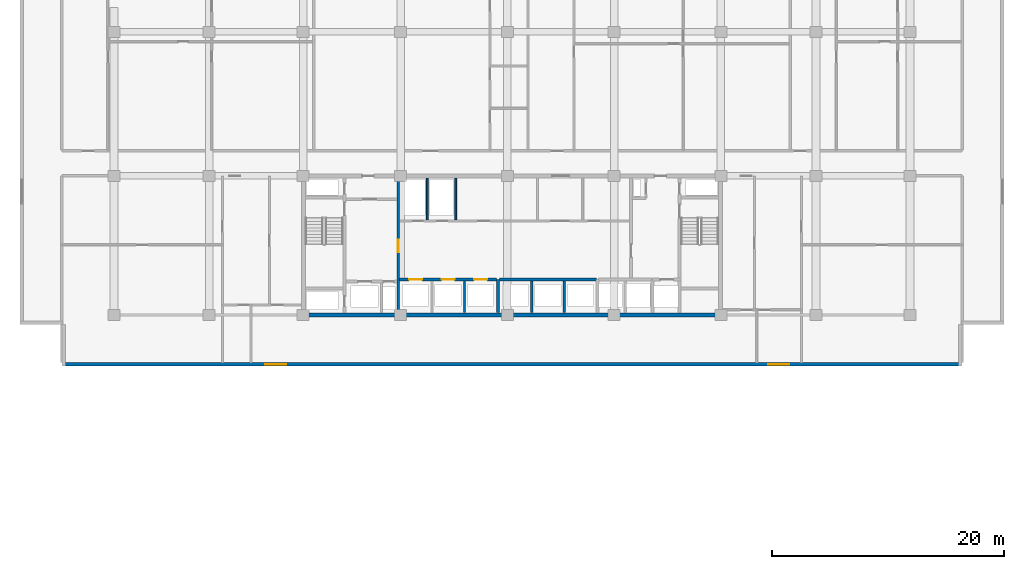
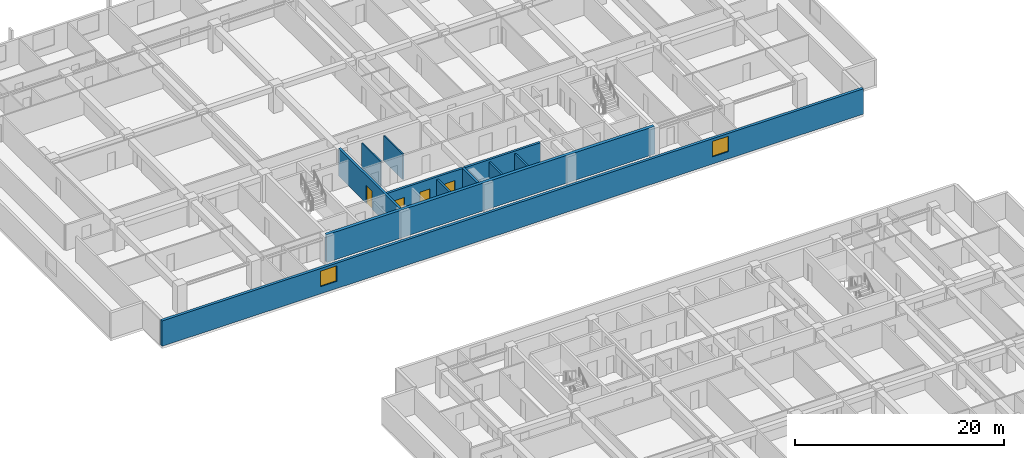
# One storey, part 11 of 23: 11 walls, 4 doors, 2 windows, 6 openings.
"""IFC4 building model written with IfcOpenShell, lengths in metres."""

from ifc_helpers import new_model, si_unit, direction, frame, frame_2d, origin, place, context, subcontext, project, spatial, rectangle, extrude, material, layer, layer_set, type_object, element, fill, save


model = new_model("IFC4")

# Units and contexts
model_context = context("Model", 3, precision=1e-05, world=origin(), true_north=direction((0.0, 1.0)))
body_context = subcontext(model_context, "Body", "Model", "MODEL_VIEW")
ifc_project = project(units=[si_unit("LENGTHUNIT", "METRE"), si_unit("AREAUNIT", "SQUARE_METRE"), si_unit("VOLUMEUNIT", "CUBIC_METRE"), si_unit("PLANEANGLEUNIT", "RADIAN"), si_unit("MASSUNIT", "GRAM", prefix="KILO")], contexts=[model_context])

# Site, building, storey
site_placement = place(None, origin())
site = spatial("IfcSite", under=ifc_project, at=site_placement, CompositionType="ELEMENT")
building_placement = place(site_placement, origin())
building = spatial("IfcBuilding", under=site, at=building_placement, Name="Korimba Cascade Residences", CompositionType="ELEMENT")
storey_placement = place(building_placement, frame((0.0, 0.0, 56.5)))
storey = spatial("IfcBuildingStorey", under=building, at=storey_placement, Name="L15", CompositionType="ELEMENT", Elevation=56.5)

# Wall, openings, windows
ifc_material_1 = material(Name="Precast concrete C40/50", Category="concrete")
ifc_layer_1 = layer(ifc_material_1, 0.300048828125)
ifc_layer_set_1 = layer_set([ifc_layer_1], Name="Precast concrete C40/50")
wall_type_1 = type_object("IfcWallType", Name="EW-STONE-300", PredefinedType="STANDARD", material=ifc_layer_set_1)
wall_1_placement = place(storey_placement, frame((55.300048828125, 50.949951171875, 0.0), z_axis=(0.0, 0.0, 1.0), x_axis=(1.0, 0.0, 0.0)))
wall_1 = element("IfcWall", 1, at=wall_1_placement, inside=storey, type_object=wall_type_1, Name="L15 T1 Perimeter Stone Wall E00", PredefinedType="STANDARD", context=body_context, shape_type="SweptSolid", body=[
    extrude(rectangle(XDim=77.599853515625, YDim=0.300048828125, at=frame_2d((38.7998046875, 0.0))), origin(), (0.0, 0.0, 1.0), 2.969970703125),
])
opening_1_placement = place(wall_1_placement, frame((17.52490234375, 0.0, 0.85009765625)))
opening_1 = element("IfcOpeningElement", 2, at=opening_1_placement, cuts=wall_1, Name="Opening W-02", PredefinedType="OPENING", context=body_context, shape_type="SweptSolid", body=[
    extrude(rectangle(XDim=1.800048828125, YDim=1.800048828125, at=frame_2d((0.89990234375, 0.89990234375))), frame((0.0, 0.16015625, 0.0), z_axis=(0.0, -1.0, 0.0), x_axis=(1.0, 0.0, 0.0)), (0.0, 0.0, 1.0), 0.320068359375),
])
opening_2_placement = place(wall_1_placement, frame((60.875, 0.0, 0.85009765625)))
opening_2 = element("IfcOpeningElement", 3, at=opening_2_placement, cuts=wall_1, Name="Opening W-02", PredefinedType="OPENING", context=body_context, shape_type="SweptSolid", body=[
    extrude(rectangle(XDim=1.800048828125, YDim=1.800048828125, at=frame_2d((0.89990234375, 0.89990234375))), frame((0.0, 0.16015625, 0.0), z_axis=(0.0, -1.0, 0.0), x_axis=(1.0, 0.0, 0.0)), (0.0, 0.0, 1.0), 0.320068359375),
])
ifc_material_2 = material(Name="Double-Glazed Aluminium Window", Category="aluminium")
window_type = type_object("IfcWindowType", Name="WIN-BED-1800", PartitioningType="SINGLE_PANEL", PredefinedType="WINDOW", material=ifc_material_2)
window_1_placement = place(opening_1_placement, origin())
window_1 = element("IfcWindow", 4, at=window_1_placement, inside=storey, type_object=window_type, Name="L15 T1 South Corner Bedroom Window 1", OverallHeight=1.800048828125, OverallWidth=1.800048828125, PartitioningType="SINGLE_PANEL", PredefinedType="WINDOW", context=body_context, shape_type="SweptSolid", body=[
    extrude(rectangle(XDim=1.800048828125, YDim=1.800048828125, at=frame_2d((0.89990234375, 0.89990234375))), frame((0.0, 0.030029296875, 0.0), z_axis=(0.0, -1.0, 0.0), x_axis=(1.0, 0.0, 0.0)), (0.0, 0.0, 1.0), 0.06005859375),
])
fill(opening_1, window_1)
window_2_placement = place(opening_2_placement, origin())
window_2 = element("IfcWindow", 5, at=window_2_placement, inside=storey, type_object=window_type, Name="L15 T1 South Corner Bedroom Window 2", OverallHeight=1.800048828125, OverallWidth=1.800048828125, PartitioningType="SINGLE_PANEL", PredefinedType="WINDOW", context=body_context, shape_type="SweptSolid", body=[
    extrude(rectangle(XDim=1.800048828125, YDim=1.800048828125, at=frame_2d((0.89990234375, 0.89990234375))), frame((0.0, 0.030029296875, 0.0), z_axis=(0.0, -1.0, 0.0), x_axis=(1.0, 0.0, 0.0)), (0.0, 0.0, 1.0), 0.06005859375),
])
fill(opening_2, window_2)

# Walls
ifc_material_3 = material(Name="Concrete C65/80", Category="concrete")
ifc_layer_2 = layer(ifc_material_3, 0.35009765625)
ifc_layer_set_2 = layer_set([ifc_layer_2], Name="Concrete C65/80")
wall_type_2 = type_object("IfcWallType", Name="WAL-CORE-350", PredefinedType="SHEAR", material=ifc_layer_set_2)
wall_2_placement = place(storey_placement, frame((75.949951171875, 55.199951171875, 0.0), z_axis=(0.0, 0.0, 1.0), x_axis=(1.0, 0.0, 0.0)))
element("IfcWall", 6, at=wall_2_placement, inside=storey, type_object=wall_type_2, Name="L15 Core Shear Wall CW-L15-T1-S", PredefinedType="SHEAR", context=body_context, shape_type="SweptSolid", body=[
    extrude(rectangle(XDim=36.300048828125, YDim=0.35009765625, at=frame_2d((18.14990234375, 0.0))), origin(), (0.0, 0.0, 1.0), 3.25),
])
ifc_material_4 = material(Name="Insulated Acoustic Stud Partition", Category="gypsum")
ifc_layer_3 = layer(ifc_material_4, 0.14990234375)
ifc_layer_set_3 = layer_set([ifc_layer_3], Name="Insulated Acoustic Stud Partition")
wall_type_3 = type_object("IfcWallType", Name="WAL-PART-150", PredefinedType="PARTITIONING", material=ifc_layer_set_3)
for number, where, z_axis, x_axis, name in (
    (7, (86.800048828125, 63.39990234375, 0.0), (0.0, 0.0, 1.0), (0.0, 1.0, 0.0), "L15 Partition Wall CW-L15-T1-ERDIV"),
    (8, (89.25, 63.39990234375, 0.0), (0.0, 0.0, 1.0), (0.0, 1.0, 0.0), "L15 Partition Wall CW-L15-T1-PRDIV"),
):
    element("IfcWall", number, at=place(storey_placement, frame(where, z_axis=z_axis, x_axis=x_axis)), inside=storey, type_object=wall_type_3, Name=name, PredefinedType="PARTITIONING", context=body_context, shape_type="SweptSolid", body=[
        extrude(rectangle(XDim=3.60009765625, YDim=0.14990234375, at=frame_2d((1.800048828125, 0.0))), origin(), (0.0, 0.0, 1.0), 2.969970703125),
    ])
ifc_material_5 = material(Name="Concrete C40/50", Category="concrete")
ifc_layer_4 = layer(ifc_material_5, 0.199951171875)
ifc_layer_set_4 = layer_set([ifc_layer_4], Name="Concrete C40/50")
wall_type_4 = type_object("IfcWallType", Name="WAL-PART-200", PredefinedType="PARTITIONING", material=ifc_layer_set_4)
for number, where, z_axis, x_axis, name in (
    (9, (90.0, 55.39990234375, 0.0), (0.0, 0.0, 1.0), (0.0, 1.0, 0.0), "L15 Partition Wall CW-L15-T1-B1D2"),
    (10, (95.800048828125, 55.39990234375, 0.0), (0.0, 0.0, 1.0), (0.0, 1.0, 0.0), "L15 Partition Wall CW-L15-T1-B2D1"),
    (11, (98.60009765625, 55.39990234375, 0.0), (0.0, 0.0, 1.0), (0.0, 1.0, 0.0), "L15 Partition Wall CW-L15-T1-B2D2"),
):
    element("IfcWall", number, at=place(storey_placement, frame(where, z_axis=z_axis, x_axis=x_axis)), inside=storey, type_object=wall_type_4, Name=name, PredefinedType="PARTITIONING", context=body_context, shape_type="SweptSolid", body=[
        extrude(rectangle(XDim=2.72021484375, YDim=0.199951171875, at=frame_2d((1.360107421875, 0.0))), origin(), (0.0, 0.0, 1.0), 2.969970703125),
    ])

# Wall, opening, door
ifc_material_6 = material(Name="Concrete C50/60", Category="concrete")
ifc_layer_5 = layer(ifc_material_6, 0.25)
ifc_layer_set_5 = layer_set([ifc_layer_5], Name="Concrete C50/60")
wall_type_5 = type_object("IfcWallType", Name="WAL-SHAFT-250", PredefinedType="SHEAR", material=ifc_layer_set_5)
wall_3_placement = place(storey_placement, frame((84.300048828125, 55.39990234375, 0.0), z_axis=(0.0, 0.0, 1.0), x_axis=(0.0, 1.0, 0.0)))
wall_3 = element("IfcWall", 12, at=wall_3_placement, inside=storey, type_object=wall_type_5, Name="L15 Core Shear Wall CW-L15-T1-FFLE", PredefinedType="SHEAR", context=body_context, shape_type="SweptSolid", body=[
    extrude(rectangle(XDim=11.60009765625, YDim=0.25, at=frame_2d((5.800048828125, 0.0))), origin(), (0.0, 0.0, 1.0), 3.25),
])
opening_3_placement = place(wall_3_placement, frame((5.199951171875, 0.0, 0.0)))
opening_3 = element("IfcOpeningElement", 13, at=opening_3_placement, cuts=wall_3, Name="Opening D-FD1", PredefinedType="OPENING", context=body_context, shape_type="SweptSolid", body=[
    extrude(rectangle(XDim=1.10009765625, YDim=2.10009765625, at=frame_2d((0.550048828125, 1.050048828125))), frame((0.0, 0.135009765625, 0.0), z_axis=(0.0, -1.0, 0.0), x_axis=(1.0, 0.0, 0.0)), (0.0, 0.0, 1.0), 0.27001953125),
])
ifc_material_7 = material(Name="Fire-Rated Steel Core Door", Category="steel")
door_type_1 = type_object("IfcDoorType", Name="DR-FD120-1100", OperationType="NOTDEFINED", PredefinedType="DOOR", material=ifc_material_7)
door_1_placement = place(opening_3_placement, origin())
door_1 = element("IfcDoor", 14, at=door_1_placement, inside=storey, type_object=door_type_1, Name="L15 Firefighting Lobby to Lift Lobby Door", OperationType="SINGLE_SWING_LEFT", OverallHeight=2.10009765625, OverallWidth=1.10009765625, PredefinedType="DOOR", context=body_context, shape_type="SweptSolid", body=[
    extrude(rectangle(XDim=1.10009765625, YDim=2.10009765625, at=frame_2d((0.550048828125, 1.050048828125))), frame((0.0, 0.02490234375, 0.0), z_axis=(0.0, -1.0, 0.0), x_axis=(1.0, 0.0, 0.0)), (0.0, 0.0, 1.0), 0.050048828125),
])
fill(opening_3, door_1)

# Wall, openings, doors
wall_4_placement = place(storey_placement, frame((84.419921875, 58.25, 0.0), z_axis=(0.0, 0.0, 1.0), x_axis=(1.0, 0.0, 0.0)))
wall_4 = element("IfcWall", 15, at=wall_4_placement, inside=storey, type_object=wall_type_5, Name="L15 Core Shear Wall CW-L15-T1-B1N", PredefinedType="SHEAR", context=body_context, shape_type="SweptSolid", body=[
    extrude(rectangle(XDim=8.360107421875, YDim=0.25, at=frame_2d((4.18017578125, 0.0))), origin(), (0.0, 0.0, 1.0), 3.25),
])
opening_4_placement = place(wall_4_placement, frame((0.820068359375, 0.0, 0.0)))
opening_4 = element("IfcOpeningElement", 16, at=opening_4_placement, cuts=wall_4, Name="Opening LD-01", PredefinedType="OPENING", context=body_context, shape_type="SweptSolid", body=[
    extrude(rectangle(XDim=1.1201171875, YDim=2.1201171875, at=frame_2d((0.56005859375, 1.06005859375))), frame((0.0, 0.135009765625, 0.0), z_axis=(0.0, -1.0, 0.0), x_axis=(1.0, 0.0, 0.0)), (0.0, 0.0, 1.0), 0.27001953125),
])
opening_5_placement = place(wall_4_placement, frame((3.6201171875, 0.0, 0.0)))
opening_5 = element("IfcOpeningElement", 17, at=opening_5_placement, cuts=wall_4, Name="Opening LD-01", PredefinedType="OPENING", context=body_context, shape_type="SweptSolid", body=[
    extrude(rectangle(XDim=1.1201171875, YDim=2.1201171875, at=frame_2d((0.56005859375, 1.06005859375))), frame((0.0, 0.135009765625, 0.0), z_axis=(0.0, -1.0, 0.0), x_axis=(1.0, 0.0, 0.0)), (0.0, 0.0, 1.0), 0.27001953125),
])
opening_6_placement = place(wall_4_placement, frame((6.419921875, 0.0, 0.0)))
opening_6 = element("IfcOpeningElement", 18, at=opening_6_placement, cuts=wall_4, Name="Opening LD-01", PredefinedType="OPENING", context=body_context, shape_type="SweptSolid", body=[
    extrude(rectangle(XDim=1.1201171875, YDim=2.1201171875, at=frame_2d((0.56005859375, 1.06005859375))), frame((0.0, 0.135009765625, 0.0), z_axis=(0.0, -1.0, 0.0), x_axis=(1.0, 0.0, 0.0)), (0.0, 0.0, 1.0), 0.27001953125),
])
ifc_material_8 = material(Name="Stainless Steel Lift Landing Sliding Door", Category="steel")
door_type_2 = type_object("IfcDoorType", Name="DR-LIFT-1100", OperationType="NOTDEFINED", PredefinedType="DOOR", material=ifc_material_8)
door_2_placement = place(opening_4_placement, origin())
door_2 = element("IfcDoor", 19, at=door_2_placement, inside=storey, type_object=door_type_2, Name="L15 Lift Landing Door PL-W1", OperationType="SLIDING_TO_LEFT", OverallHeight=2.1201171875, OverallWidth=1.1201171875, PredefinedType="DOOR", context=body_context, shape_type="SweptSolid", body=[
    extrude(rectangle(XDim=1.1201171875, YDim=2.1201171875, at=frame_2d((0.56005859375, 1.06005859375))), frame((0.0, 0.02490234375, 0.0), z_axis=(0.0, -1.0, 0.0), x_axis=(1.0, 0.0, 0.0)), (0.0, 0.0, 1.0), 0.050048828125),
])
fill(opening_4, door_2)
door_3_placement = place(opening_5_placement, origin())
door_3 = element("IfcDoor", 20, at=door_3_placement, inside=storey, type_object=door_type_2, Name="L15 Lift Landing Door PL-W2", OperationType="SLIDING_TO_LEFT", OverallHeight=2.1201171875, OverallWidth=1.1201171875, PredefinedType="DOOR", context=body_context, shape_type="SweptSolid", body=[
    extrude(rectangle(XDim=1.1201171875, YDim=2.1201171875, at=frame_2d((0.56005859375, 1.06005859375))), frame((0.0, 0.02490234375, 0.0), z_axis=(0.0, -1.0, 0.0), x_axis=(1.0, 0.0, 0.0)), (0.0, 0.0, 1.0), 0.050048828125),
])
fill(opening_5, door_3)
door_4_placement = place(opening_6_placement, origin())
door_4 = element("IfcDoor", 21, at=door_4_placement, inside=storey, type_object=door_type_2, Name="L15 Lift Landing Door PL-W3", OperationType="SLIDING_TO_LEFT", OverallHeight=2.1201171875, OverallWidth=1.1201171875, PredefinedType="DOOR", context=body_context, shape_type="SweptSolid", body=[
    extrude(rectangle(XDim=1.1201171875, YDim=2.1201171875, at=frame_2d((0.56005859375, 1.06005859375))), frame((0.0, 0.02490234375, 0.0), z_axis=(0.0, -1.0, 0.0), x_axis=(1.0, 0.0, 0.0)), (0.0, 0.0, 1.0), 0.050048828125),
])
fill(opening_6, door_4)

# Walls
wall_5_placement = place(storey_placement, frame((92.89990234375, 55.39990234375, 0.0), z_axis=(0.0, 0.0, 1.0), x_axis=(0.0, 1.0, 0.0)))
element("IfcWall", 22, at=wall_5_placement, inside=storey, type_object=wall_type_5, Name="L15 Core Shear Wall CW-L15-T1-B12DIV", PredefinedType="SHEAR", context=body_context, shape_type="SweptSolid", body=[
    extrude(rectangle(XDim=2.85009765625, YDim=0.25, at=frame_2d((1.425048828125, 0.0))), origin(), (0.0, 0.0, 1.0), 3.25),
])
wall_6_placement = place(storey_placement, frame((93.02001953125, 58.25, 0.0), z_axis=(0.0, 0.0, 1.0), x_axis=(1.0, 0.0, 0.0)))
element("IfcWall", 23, at=wall_6_placement, inside=storey, type_object=wall_type_5, Name="L15 Core Shear Wall CW-L15-T1-B2N", PredefinedType="SHEAR", context=body_context, shape_type="SweptSolid", body=[
    extrude(rectangle(XDim=8.35986328125, YDim=0.25, at=frame_2d((4.179931640625, 0.0))), origin(), (0.0, 0.0, 1.0), 3.25),
])

save(model, "model.ifc")
